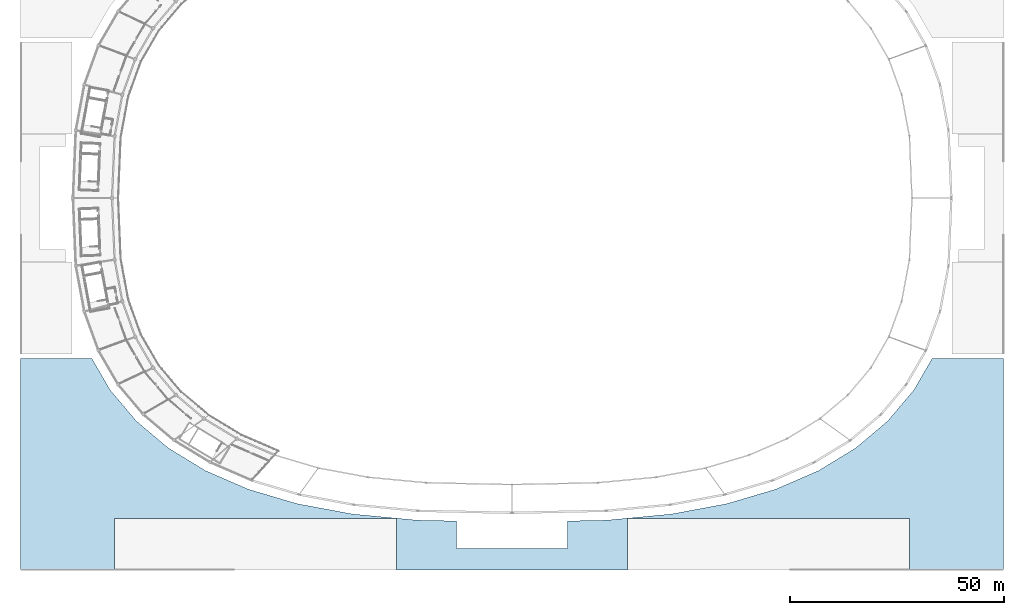
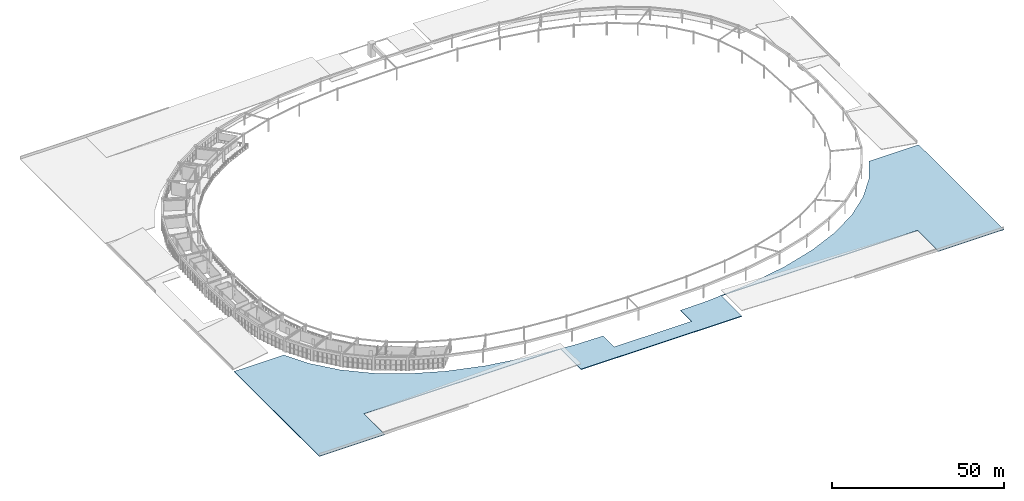
# One storey, part 30 of 45: 1 slab, 1 element without a shape of its own.
"""IFC4 building model written with IfcOpenShell, lengths in metres."""

from ifc_helpers import new_model, si_unit, direction, frame, origin, place, context, subcontext, project, spatial, polyline, outline, extrude, material, layer, layer_set, type_object, element, aggregate, save


model = new_model("IFC4")

# Units and contexts
model_context = context("Model", 3, precision=1e-05, world=origin(), true_north=direction((0.0, 1.0)))
body_context = subcontext(model_context, "Body", "Model", "MODEL_VIEW")
ifc_project = project(units=[si_unit("LENGTHUNIT", "METRE"), si_unit("AREAUNIT", "SQUARE_METRE"), si_unit("VOLUMEUNIT", "CUBIC_METRE"), si_unit("PLANEANGLEUNIT", "RADIAN"), si_unit("MASSUNIT", "GRAM", prefix="KILO")], contexts=[model_context])

# Site, building, storey
site_placement = place(None, origin())
site = spatial("IfcSite", under=ifc_project, at=site_placement, CompositionType="ELEMENT")
building_placement = place(site_placement, origin())
building = spatial("IfcBuilding", under=site, at=building_placement, Name="Mphavela Belvedere Stadium", CompositionType="ELEMENT")
storey_placement = place(building_placement, frame((0.0, 0.0, 24.0)))
storey = spatial("IfcBuildingStorey", under=building, at=storey_placement, Name="L05", CompositionType="ELEMENT", Elevation=24.0)

# Roof, slab
ifc_material_1 = material(Name="Standing-seam zinc roofing membrane")
roof_type = type_object("IfcRoofType", Name="ROOF-PEDIMENT-ASSY", PredefinedType="GABLE_ROOF", material=ifc_material_1)
roof_placement = place(storey_placement, origin())
roof = element("IfcRoof", 1, at=roof_placement, inside=storey, type_object=roof_type, Name="South Axial Triumphal Peristyle Portico classical pediment roof", PredefinedType="GABLE_ROOF")
ifc_material_2 = material(Name="Standing-seam zinc insulated roof over Concrete C40/50", Category="concrete")
ifc_layer = layer(ifc_material_2, 0.239990234375)
ifc_layer_set = layer_set([ifc_layer], Name="Standing-seam zinc insulated roof over Concrete C40/50")
slab_type = type_object("IfcSlabType", Name="SLB-ROOF-ZINC-240", PredefinedType="ROOF", material=ifc_layer_set)
slab_placement = place(storey_placement, origin())
slab = element("IfcSlab", 2, at=slab_placement, type_object=slab_type, Name="South Axial Triumphal Peristyle Portico insulated roof deck 1", PredefinedType="ROOF", context=body_context, shape_type="SweptSolid", body=[
    extrude(outline(polyline([(0.0, 49.5), (16.653564453125, 49.5), (20.852783203125, 42.2373046875), (20.957763671875, 42.0732421875), (21.07666015625, 41.919189453125), (26.980712890625, 34.927001953125), (27.106201171875, 34.79052734375), (27.242919921875, 34.6650390625), (34.425537109375, 28.60400390625), (34.5595703125, 28.499755859375), (34.700927734375, 28.406005859375), (43.160400390625, 23.259521484375), (43.4287109375, 23.12060546875), (53.1875, 18.89013671875), (53.436279296875, 18.7998046875), (64.57275390625, 15.494140625), (64.7958984375, 15.440185546875), (77.5244140625, 13.06982421875), (77.718505859375, 13.04248046875), (92.676513671875, 11.6162109375), (92.837890625, 11.606689453125), (102.0, 11.409423828125), (102.0, 5.0), (128.0, 5.0), (128.0, 11.409423828125), (137.162109375, 11.606689453125), (137.323486328125, 11.6162109375), (152.281494140625, 13.04248046875), (152.4755859375, 13.06982421875), (165.2041015625, 15.440185546875), (165.42724609375, 15.494140625), (176.563720703125, 18.7998046875), (176.8125, 18.89013671875), (186.5712890625, 23.12060546875), (186.839599609375, 23.259521484375), (195.299072265625, 28.406005859375), (195.4404296875, 28.499755859375), (195.574462890625, 28.60400390625), (202.757080078125, 34.6650390625), (202.893798828125, 34.79052734375), (203.019287109375, 34.927001953125), (208.92333984375, 41.919189453125), (209.042236328125, 42.0732421875), (209.147216796875, 42.2373046875), (213.346435546875, 49.5), (230.0, 49.5), (230.0, 0.0), (208.0, 0.0), (208.0, 12.0), (142.0, 12.0), (142.0, 0.0), (88.0, 0.0), (88.0, 12.0), (22.0, 12.0), (22.0, 0.0), (0.0, 0.0), (0.0, 49.5)])), origin(), (0.0, 0.0, 1.0), 0.239990234375),
])
aggregate(roof, [slab])

save(model, "model.ifc")
